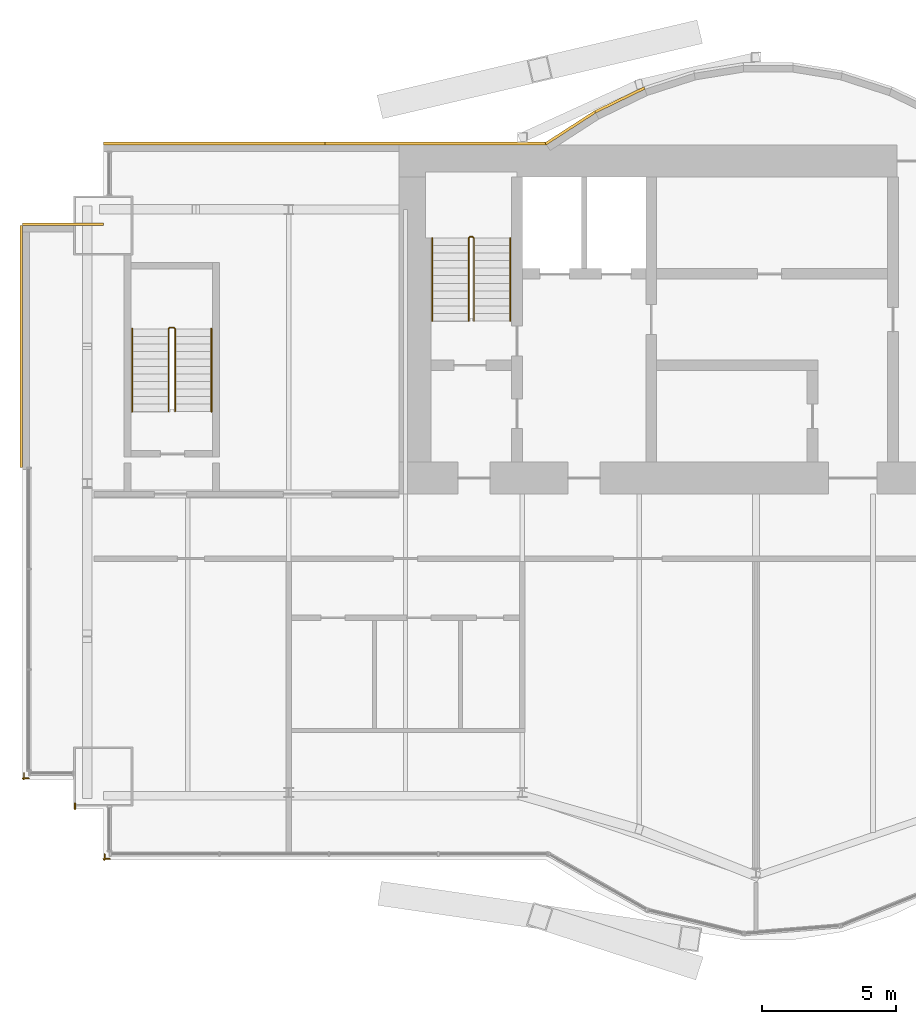
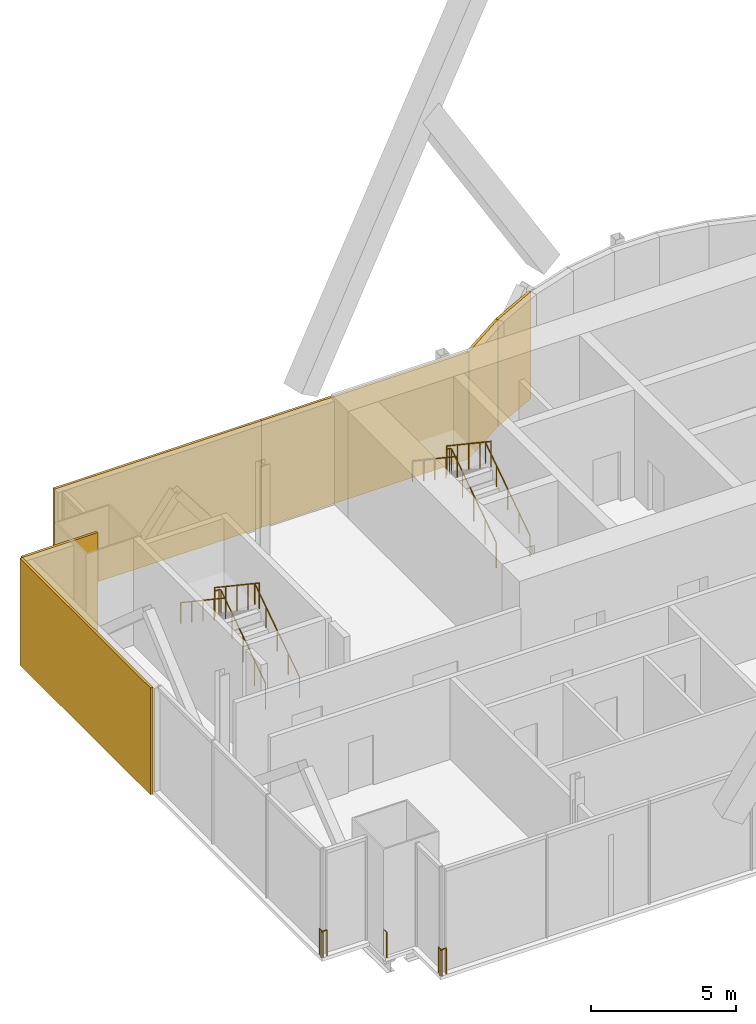
# One storey, part 18 of 20: 9 railings, 6 coverings.
"""IFC4 building model written with IfcOpenShell, lengths in metres."""

import ifcopenshell
import ifcopenshell.guid

model = None  # the IFC model being written
_history = None  # IfcOwnerHistory: only IFC2X3 demands one
_inside = {}  # id of a spatial element -> (the spatial element, [elements in it])
_under = {}  # id of a project, library or spatial element -> (it, [spatial elements below it])
_declared = {}  # id of a project -> (the project, [libraries it declares])
_typed = {}  # id of a type object -> (the type object, [elements of that type])
_made_of = {}  # id of a material, layer set ... -> (it, [elements and type objects made of it])


def new_model(schema):
    """Start an empty IFC model of exactly this schema.

    Asked for "IFC4X3", IfcOpenShell would pick the latest addendum, in which some entities
    have other attributes; the version numbers below select the first issue.
    IFC2X3 requires an IfcOwnerHistory on every rooted entity: one is made here for all.
    """
    global model, _history
    if schema == "IFC4X3":
        model = ifcopenshell.file(schema_version=(4, 3, 0, 0))
    else:
        model = ifcopenshell.file(schema=schema)
    _inside.clear()
    _under.clear()
    _declared.clear()
    _typed.clear()
    _made_of.clear()
    _history = None
    if model.schema == "IFC2X3":
        org = make("IfcOrganization", Name="unknown")
        user = make(
            "IfcPersonAndOrganization",
            ThePerson=make("IfcPerson", FamilyName="unknown"),
            TheOrganization=org,
        )
        app = make(
            "IfcApplication",
            ApplicationDeveloper=org,
            Version="unknown",
            ApplicationFullName="unknown",
            ApplicationIdentifier="unknown",
        )
        _history = make(
            "IfcOwnerHistory",
            OwningUser=user,
            OwningApplication=app,
            ChangeAction="ADDED",
            CreationDate=0,
        )
    return model


def make(cls, **values):
    """One entity of the class cls with the attributes given. An attribute that is None is left unset."""
    return model.create_entity(
        cls, **{name: value for name, value in values.items() if value is not None}
    )


def rooted(cls, **values):
    """An entity with a GlobalId (a new one), such as an element, a storey or a relation."""
    return make(cls, GlobalId=ifcopenshell.guid.new(), OwnerHistory=_history, **values)


def si_unit(unit_type, name, prefix=None):
    """IfcSIUnit, for example si_unit("LENGTHUNIT", "METRE", prefix="MILLI")."""
    return make("IfcSIUnit", UnitType=unit_type, Prefix=prefix, Name=name)


def assignment(units):
    """IfcUnitAssignment: the units of a project."""
    return None if units is None else make("IfcUnitAssignment", Units=units)


def point(xyz):
    """IfcCartesianPoint."""
    return None if xyz is None else make("IfcCartesianPoint", Coordinates=xyz)


def direction(xyz):
    """IfcDirection."""
    return None if xyz is None else make("IfcDirection", DirectionRatios=xyz)


def frame(location, z_axis=None, x_axis=None):
    """IfcAxis2Placement3D, a coordinate frame: its origin and axes. An axis left out is left unset."""
    return make(
        "IfcAxis2Placement3D",
        Location=point(location),
        Axis=direction(z_axis),
        RefDirection=direction(x_axis),
    )


def frame_2d(location, x_axis=None):
    """IfcAxis2Placement2D, a coordinate frame in the plane: its origin and x axis."""
    return make(
        "IfcAxis2Placement2D", Location=point(location), RefDirection=direction(x_axis)
    )


def origin():
    """The frame at (0, 0, 0) with its axes left unset."""
    return frame((0.0, 0.0, 0.0))


def origin_2d():
    """The frame at (0, 0) in the plane with its x axis left unset."""
    return frame_2d((0.0, 0.0))


def place(relative_to, where):
    """IfcLocalPlacement: puts the frame where relative to a parent placement (None: the world)."""
    return make(
        "IfcLocalPlacement", PlacementRelTo=relative_to, RelativePlacement=where
    )


def context(
    kind, dimensions, precision=None, world=None, true_north=None, identifier=None
):
    """IfcGeometricRepresentationContext, for example the 3D "Model" context."""
    return make(
        "IfcGeometricRepresentationContext",
        ContextIdentifier=identifier,
        ContextType=kind,
        CoordinateSpaceDimension=dimensions,
        Precision=precision,
        WorldCoordinateSystem=world,
        TrueNorth=true_north,
    )


def subcontext(parent, identifier, kind, view, scale=None):
    """IfcGeometricRepresentationSubContext, for example "Body" below "Model"."""
    return make(
        "IfcGeometricRepresentationSubContext",
        ContextIdentifier=identifier,
        ContextType=kind,
        ParentContext=parent,
        TargetScale=scale,
        TargetView=view,
    )


def project(units=None, contexts=None):
    """IfcProject with its units and contexts."""
    return rooted(
        "IfcProject",
        Name="project",
        RepresentationContexts=contexts,
        UnitsInContext=assignment(units),
    )


def spatial(cls, under=None, at=None, **own):
    """A site, building, storey or space (cls), placed at a placement, below another one or the project."""
    s = rooted(cls, ObjectPlacement=at, **own)
    if under is not None:
        _under.setdefault(under.id(), (under, []))[1].append(s)
    return s


def profile(cls, at=None, kind="AREA", **sizes):
    """A parametric profile (cls). Its sizes go by their IFC names, for example OverallWidth=200.0."""
    return make(cls, ProfileType=kind, Position=at, **sizes)


def rectangle(**sizes):
    """IfcRectangleProfileDef."""
    return profile("IfcRectangleProfileDef", **sizes)


def circle(**sizes):
    """IfcCircleProfileDef."""
    return profile("IfcCircleProfileDef", **sizes)


def extrude(swept, where, along, depth):
    """IfcExtrudedAreaSolid: the profile swept, set in the frame where, extruded along a direction by depth."""
    return make(
        "IfcExtrudedAreaSolid",
        SweptArea=swept,
        Position=where,
        ExtrudedDirection=direction(along),
        Depth=depth,
    )


def shape(context_of_items, identifier, shape_type, items):
    """IfcShapeRepresentation: the items that make up one representation, for example the "Body"."""
    return make(
        "IfcShapeRepresentation",
        ContextOfItems=context_of_items,
        RepresentationIdentifier=identifier,
        RepresentationType=shape_type,
        Items=items,
    )


def material(Name=None, Category=None):
    """IfcMaterial."""
    return make("IfcMaterial", Name=Name, Category=Category)


def layer(
    of_material, thickness, ventilated=None, Name=None, Category=None, Priority=None
):
    """IfcMaterialLayer: one layer of a wall or slab, of a material (None: an air gap)."""
    return make(
        "IfcMaterialLayer",
        Material=of_material,
        LayerThickness=thickness,
        IsVentilated=ventilated,
        Name=Name,
        Category=Category,
        Priority=Priority,
    )


def layer_set(layers, Name=None):
    """IfcMaterialLayerSet."""
    return make("IfcMaterialLayerSet", MaterialLayers=layers, LayerSetName=Name)


def made_of(thing, what):
    """Note that an element or type object is made of a material, layer set ...; save() writes the relation."""
    if what is not None:
        _made_of.setdefault(what.id(), (what, []))[1].append(thing)
    return thing


def type_object(cls, material=None, **own):
    """A type object (cls), such as IfcWallType, which elements share."""
    return made_of(rooted(cls, **own), material)


def element(
    cls,
    number,
    at=None,
    inside=None,
    cuts=None,
    type_object=None,
    material=None,
    context=None,
    identifier="Body",
    shape_type=None,
    held_by="IfcProductDefinitionShape",
    body=None,
    shapes=None,
    **own,
):
    """One element of the class cls, such as IfcWall. Its Tag is "e" and its number.

    at: its placement. inside: the storey or other place that contains it. cuts: it is an
    opening in that element (IfcRelVoidsElement). A single representation is given by context,
    identifier, shape_type and body (its items); several are given by shapes. held_by: the class
    of the entity that holds the representations. save() writes the other relations.
    """
    e = rooted(cls, Tag="e%d" % number, ObjectPlacement=at, **own)
    if body is not None:
        shapes = [shape(context, identifier, shape_type, body)]
    if shapes is not None:
        e.Representation = make(held_by, Representations=shapes)
    if inside is not None:
        _inside.setdefault(inside.id(), (inside, []))[1].append(e)
    if cuts is not None:
        rooted(
            "IfcRelVoidsElement", RelatingBuildingElement=cuts, RelatedOpeningElement=e
        )
    if type_object is not None:
        _typed.setdefault(type_object.id(), (type_object, []))[1].append(e)
    return made_of(e, material)


def aggregate(whole, parts):
    """IfcRelAggregates: a whole, such as a stair, and the parts it consists of."""
    return rooted("IfcRelAggregates", RelatingObject=whole, RelatedObjects=parts)


def save(model, path):
    """Write the relations noted so far, then the file.

    IfcRelAggregates (storeys below a building ...), IfcRelContainedInSpatialStructure (elements
    in a storey), IfcRelDefinesByType, IfcRelAssociatesMaterial and IfcRelDeclares: one each for
    every whole, place, type object, material and project.
    """
    for whole, parts in _under.values():
        aggregate(whole, parts)
    for where, things in _inside.values():
        rooted(
            "IfcRelContainedInSpatialStructure",
            RelatedElements=things,
            RelatingStructure=where,
        )
    for kind, things in _typed.values():
        rooted("IfcRelDefinesByType", RelatedObjects=things, RelatingType=kind)
    for what, things in _made_of.values():
        rooted("IfcRelAssociatesMaterial", RelatedObjects=things, RelatingMaterial=what)
    for by, libraries in _declared.values():
        rooted("IfcRelDeclares", RelatingContext=by, RelatedDefinitions=libraries)
    model.write(path)


model = new_model("IFC4")

# Units and contexts
model_context = context("Model", 3, precision=1e-05, world=origin(), true_north=direction((0.0, 1.0)))
body_context = subcontext(model_context, "Body", "Model", "MODEL_VIEW")
ifc_project = project(units=[si_unit("LENGTHUNIT", "METRE"), si_unit("AREAUNIT", "SQUARE_METRE"), si_unit("VOLUMEUNIT", "CUBIC_METRE"), si_unit("PLANEANGLEUNIT", "RADIAN"), si_unit("MASSUNIT", "GRAM", prefix="KILO")], contexts=[model_context])

# Site, building, storey
site_placement = place(None, origin())
site = spatial("IfcSite", under=ifc_project, at=site_placement, CompositionType="ELEMENT")
building_placement = place(site_placement, origin())
building = spatial("IfcBuilding", under=site, at=building_placement, Name="Bicima Exchange Tower", CompositionType="ELEMENT")
storey_placement = place(building_placement, frame((0.0, 0.0, 306.5)))
storey = spatial("IfcBuildingStorey", under=building, at=storey_placement, Name="L69", CompositionType="ELEMENT", Elevation=306.5)

# Coverings
ifc_material_1 = material(Name="Bronze metal cladding")
ifc_layer_1 = layer(ifc_material_1, 0.004)
ifc_material_2 = material(Name="Ventilated cavity")
ifc_layer_2 = layer(ifc_material_2, 0.06)
ifc_material_3 = material(Name="Galvanised steel rail and mineral wool", Category="steel")
ifc_layer_3 = layer(ifc_material_3, 0.036)
ifc_layer_set = layer_set([ifc_layer_1, ifc_layer_2, ifc_layer_3], Name="Ventilated cavity")
covering_type = type_object("IfcCoveringType", Name="Bronze metal cladding panel 100", PredefinedType="CLADDING", material=ifc_layer_set)
covering_1_placement = place(storey_placement, frame((-13.771728515625, 1.674560546875, -0.14990234375), z_axis=(0.0, 0.0, 1.0), x_axis=(-0.899818346812, -0.436264762204, 0.0)))
element("IfcCovering", 1, at=covering_1_placement, inside=storey, type_object=covering_type, Name="Bronze cladding L69 18.1", PredefinedType="CLADDING", context=body_context, shape_type="SweptSolid", body=[
    extrude(rectangle(XDim=2.03759765625, YDim=0.10009765625, at=origin_2d()), origin(), (0.0, 0.0, 1.0), 4.5),
])
covering_2_placement = place(storey_placement, frame((-15.610595703125, 0.634521484375, -0.14990234375), z_axis=(0.0, 0.0, 1.0), x_axis=(-0.839790466384, -0.542910648791, 0.0)))
element("IfcCovering", 2, at=covering_2_placement, inside=storey, type_object=covering_type, Name="Bronze cladding L69 19.1", PredefinedType="CLADDING", context=body_context, shape_type="SweptSolid", body=[
    extrude(rectangle(XDim=2.18310546875, YDim=0.10009765625, at=origin_2d()), origin(), (0.0, 0.0, 1.0), 4.5),
])
for number, where, z_axis, x_axis, name in (
    (3, (-20.625, 0.050048828125, -0.14990234375), (0.0, 0.0, 1.0), (-1.0, 0.0, 0.0), "Bronze cladding L69 20.1"),
    (4, (-28.875, 0.050048828125, -0.14990234375), (0.0, 0.0, 1.0), (-1.0, 0.0, 0.0), "Bronze cladding L69 20.2"),
):
    element("IfcCovering", number, at=place(storey_placement, frame(where, z_axis=z_axis, x_axis=x_axis)), inside=storey, type_object=covering_type, Name=name, PredefinedType="CLADDING", context=body_context, shape_type="SweptSolid", body=[
        extrude(rectangle(XDim=8.25, YDim=0.10009765625, at=origin_2d()), origin(), (0.0, 0.0, 1.0), 4.5),
    ])
covering_3_placement = place(storey_placement, frame((-34.5, -2.949951171875, -0.14990234375), z_axis=(0.0, 0.0, 1.0), x_axis=(-1.0, 0.0, 0.0)))
element("IfcCovering", 5, at=covering_3_placement, inside=storey, type_object=covering_type, Name="Bronze cladding L69 22.1", PredefinedType="CLADDING", context=body_context, shape_type="SweptSolid", body=[
    extrude(rectangle(XDim=3.0, YDim=0.10009765625, at=origin_2d()), origin(), (0.0, 0.0, 1.0), 4.5),
])
covering_4_placement = place(storey_placement, frame((-36.050048828125, -7.5, -0.14990234375), z_axis=(0.0, 0.0, 1.0), x_axis=(0.0, -1.0, 0.0)))
element("IfcCovering", 6, at=covering_4_placement, inside=storey, type_object=covering_type, Name="Bronze cladding L69 23.1", PredefinedType="CLADDING", context=body_context, shape_type="SweptSolid", body=[
    extrude(rectangle(XDim=9.0, YDim=0.10009765625, at=origin_2d()), origin(), (0.0, 0.0, 1.0), 4.5),
])

# Railings
ifc_material_4 = material(Name="Stainless steel and bonded safety glass", Category="steel")
railing_type_1 = type_object("IfcRailingType", Name="Edge guard 1100", PredefinedType="GUARDRAIL", material=ifc_material_4)
railing_1_placement = place(storey_placement, frame((-35.762939453125, -23.577880859375, 0.0)))
element("IfcRailing", 7, at=railing_1_placement, inside=storey, type_object=railing_type_1, Name="Edge guard L69 355", PredefinedType="GUARDRAIL", context=body_context, shape_type="SweptSolid", body=[
    extrude(circle(Radius=0.02392578125, at=origin_2d()), frame((0.0, 0.0, 1.076171875), z_axis=(-1.0, 0.0, 0.0), x_axis=(0.0, -1.0, 0.0)), (0.0, 0.0, 1.0), 0.237060546875),
    extrude(circle(Radius=0.02392578125, at=origin_2d()), frame((-0.237060546875, 0.0, 1.076171875), z_axis=(0.707106781187, -0.707106781187, 0.0), x_axis=(0.707106781187, 0.707106781187, 0.0)), (0.0, 0.0, 1.0), 0.07080078125),
    extrude(circle(Radius=0.02392578125, at=origin_2d()), frame((-0.18701171875, -0.050048828125, 1.076171875), z_axis=(0.0, 1.0, 0.0), x_axis=(-1.0, 0.0, 0.0)), (0.0, 0.0, 1.0), 0.2490234375),
    extrude(circle(Radius=0.02099609375, at=origin_2d()), origin(), (0.0, 0.0, 1.0), 1.052001953125),
    extrude(circle(Radius=0.02099609375, at=origin_2d()), frame((-0.237060546875, 0.0, 0.0)), (0.0, 0.0, 1.0), 1.052001953125),
    extrude(circle(Radius=0.02099609375, at=origin_2d()), frame((-0.18701171875, -0.050048828125, 0.0)), (0.0, 0.0, 1.0), 1.052001953125),
    extrude(circle(Radius=0.02099609375, at=origin_2d()), frame((-0.18701171875, 0.198974609375, 0.0)), (0.0, 0.0, 1.0), 1.052001953125),
])
railing_2_placement = place(storey_placement, frame((-32.75, -26.577880859375, 0.0)))
element("IfcRailing", 8, at=railing_2_placement, inside=storey, type_object=railing_type_1, Name="Edge guard L69 359", PredefinedType="GUARDRAIL", context=body_context, shape_type="SweptSolid", body=[
    extrude(circle(Radius=0.02392578125, at=origin_2d()), frame((0.0, 0.0, 1.076171875), z_axis=(-1.0, 0.0, 0.0), x_axis=(0.0, -1.0, 0.0)), (0.0, 0.0, 1.0), 0.25),
    extrude(circle(Radius=0.02392578125, at=origin_2d()), frame((-0.25, 0.0, 1.076171875), z_axis=(0.707106781187, -0.707106781187, 0.0), x_axis=(0.707106781187, 0.707106781187, 0.0)), (0.0, 0.0, 1.0), 0.07080078125),
    extrude(circle(Radius=0.02392578125, at=origin_2d()), frame((-0.199951171875, -0.050048828125, 1.076171875), z_axis=(0.0, 1.0, 0.0), x_axis=(-1.0, 0.0, 0.0)), (0.0, 0.0, 1.0), 0.238037109375),
    extrude(circle(Radius=0.02099609375, at=origin_2d()), origin(), (0.0, 0.0, 1.0), 1.052001953125),
    extrude(circle(Radius=0.02099609375, at=origin_2d()), frame((-0.25, 0.0, 0.0)), (0.0, 0.0, 1.0), 1.052001953125),
    extrude(circle(Radius=0.02099609375, at=origin_2d()), frame((-0.199951171875, -0.050048828125, 0.0)), (0.0, 0.0, 1.0), 1.052001953125),
    extrude(circle(Radius=0.02099609375, at=origin_2d()), frame((-0.199951171875, 0.18798828125, 0.0)), (0.0, 0.0, 1.0), 1.052001953125),
])
railing_3_placement = place(storey_placement, frame((-34.050048828125, -24.72802734375, 0.0)))
element("IfcRailing", 9, at=railing_3_placement, inside=storey, type_object=railing_type_1, Name="Edge guard L69 360", PredefinedType="GUARDRAIL", context=body_context, shape_type="SweptSolid", body=[
    extrude(circle(Radius=0.02392578125, at=origin_2d()), frame((0.0, 0.0, 1.076171875), z_axis=(0.0, 1.0, 0.0), x_axis=(-1.0, 0.0, 0.0)), (0.0, 0.0, 1.0), 0.219970703125),
    extrude(circle(Radius=0.02099609375, at=origin_2d()), origin(), (0.0, 0.0, 1.0), 1.052001953125),
    extrude(circle(Radius=0.02099609375, at=origin_2d()), frame((0.0, 0.219970703125, 0.0)), (0.0, 0.0, 1.0), 1.052001953125),
])
ifc_material_5 = material(Name="Stainless steel", Category="steel")
railing_type_2 = type_object("IfcRailingType", Name="Stair guard 1100", PredefinedType="GUARDRAIL", material=ifc_material_5)
railing_4_placement = place(storey_placement, frame((-19.199951171875, -6.550048828125, 0.1875)))
element("IfcRailing", 10, at=railing_4_placement, inside=storey, type_object=railing_type_2, Name="L69 ST-W stair guard 1", PredefinedType="GUARDRAIL", context=body_context, shape_type="SweptSolid", body=[
    extrude(circle(Radius=0.02392578125, at=origin_2d()), frame((0.0, 0.0, 1.076171875), z_axis=(0.0, 0.830913701846, 0.55640131208), x_axis=(-1.0, 0.0, 0.0)), (0.0, 0.0, 1.0), 3.706787109375),
    extrude(circle(Radius=0.02392578125, at=origin_2d()), frame((0.0, 3.080078125, 3.138671875), z_axis=(-0.707106781187, 0.707106781187, 0.0), x_axis=(-0.707106781187, -0.707106781187, 0.0)), (0.0, 0.0, 1.0), 0.07080078125),
    extrude(circle(Radius=0.02392578125, at=origin_2d()), frame((-0.050048828125, 3.130126953125, 3.138671875), z_axis=(-1.0, 0.0, 0.0), x_axis=(0.0, -1.0, 0.0)), (0.0, 0.0, 1.0), 0.10009765625),
    extrude(circle(Radius=0.02392578125, at=origin_2d()), frame((-0.150146484375, 3.130126953125, 3.138671875), z_axis=(-0.248583702486, -0.249802250048, 0.935844527007), x_axis=(0.708833529934, -0.705375805398, 0.0)), (0.0, 0.0, 1.0), 0.200439453125),
    extrude(circle(Radius=0.02392578125, at=origin_2d()), frame((-0.199951171875, 3.080078125, 3.326171875), z_axis=(0.0, -0.830913701846, 0.55640131208), x_axis=(1.0, 0.0, 0.0)), (0.0, 0.0, 1.0), 3.706787109375),
    extrude(circle(Radius=0.02099609375, at=origin_2d()), origin(), (0.0, 0.0, 1.0), 1.052001953125),
    extrude(circle(Radius=0.02099609375, at=origin_2d()), frame((0.0, 0.77001953125, 0.515625)), (0.0, 0.0, 1.0), 1.052001953125),
    extrude(circle(Radius=0.02099609375, at=origin_2d()), frame((0.0, 1.5400390625, 1.03125)), (0.0, 0.0, 1.0), 1.052001953125),
    extrude(circle(Radius=0.02099609375, at=origin_2d()), frame((0.0, 2.31005859375, 1.546875)), (0.0, 0.0, 1.0), 1.052001953125),
    extrude(circle(Radius=0.02099609375, at=origin_2d()), frame((0.0, 3.080078125, 2.0625)), (0.0, 0.0, 1.0), 1.052001953125),
    extrude(circle(Radius=0.02099609375, at=origin_2d()), frame((-0.050048828125, 3.130126953125, 2.0625)), (0.0, 0.0, 1.0), 1.052001953125),
    extrude(circle(Radius=0.02099609375, at=origin_2d()), frame((-0.150146484375, 3.130126953125, 2.0625)), (0.0, 0.0, 1.0), 1.052001953125),
    extrude(circle(Radius=0.02099609375, at=origin_2d()), frame((-0.199951171875, 3.080078125, 2.25)), (0.0, 0.0, 1.0), 1.052001953125),
    extrude(circle(Radius=0.02099609375, at=origin_2d()), frame((-0.199951171875, 2.31005859375, 2.765625)), (0.0, 0.0, 1.0), 1.052001953125),
    extrude(circle(Radius=0.02099609375, at=origin_2d()), frame((-0.199951171875, 1.5400390625, 3.28125)), (0.0, 0.0, 1.0), 1.052001953125),
    extrude(circle(Radius=0.02099609375, at=origin_2d()), frame((-0.199951171875, 0.77001953125, 3.796875)), (0.0, 0.0, 1.0), 1.052001953125),
    extrude(circle(Radius=0.02099609375, at=origin_2d()), frame((-0.199951171875, 0.0, 4.3125)), (0.0, 0.0, 1.0), 1.052001953125),
])
railing_5_placement = place(storey_placement, frame((-30.324951171875, -9.925048828125, 0.1875)))
element("IfcRailing", 11, at=railing_5_placement, inside=storey, type_object=railing_type_2, Name="L69 ST-WW stair guard 1", PredefinedType="GUARDRAIL", context=body_context, shape_type="SweptSolid", body=[
    extrude(circle(Radius=0.02392578125, at=origin_2d()), frame((0.0, 0.0, 1.076171875), z_axis=(0.0, 0.830913701846, 0.55640131208), x_axis=(-1.0, 0.0, 0.0)), (0.0, 0.0, 1.0), 3.706787109375),
    extrude(circle(Radius=0.02392578125, at=origin_2d()), frame((0.0, 3.080078125, 3.138671875), z_axis=(-0.707106781187, 0.707106781187, 0.0), x_axis=(-0.707106781187, -0.707106781187, 0.0)), (0.0, 0.0, 1.0), 0.07080078125),
    extrude(circle(Radius=0.02392578125, at=origin_2d()), frame((-0.050048828125, 3.130126953125, 3.138671875), z_axis=(-1.0, 0.0, 0.0), x_axis=(0.0, -1.0, 0.0)), (0.0, 0.0, 1.0), 0.14990234375),
    extrude(circle(Radius=0.02392578125, at=origin_2d()), frame((-0.199951171875, 3.130126953125, 3.138671875), z_axis=(-0.249726431254, -0.249726431254, 0.935560483917), x_axis=(0.707106781187, -0.707106781187, 0.0)), (0.0, 0.0, 1.0), 0.200439453125),
    extrude(circle(Radius=0.02392578125, at=origin_2d()), frame((-0.25, 3.080078125, 3.326171875), z_axis=(0.0, -0.830913701846, 0.55640131208), x_axis=(1.0, 0.0, 0.0)), (0.0, 0.0, 1.0), 3.706787109375),
    extrude(circle(Radius=0.02099609375, at=origin_2d()), origin(), (0.0, 0.0, 1.0), 1.052001953125),
    extrude(circle(Radius=0.02099609375, at=origin_2d()), frame((0.0, 0.77001953125, 0.515625)), (0.0, 0.0, 1.0), 1.052001953125),
    extrude(circle(Radius=0.02099609375, at=origin_2d()), frame((0.0, 1.5400390625, 1.03125)), (0.0, 0.0, 1.0), 1.052001953125),
    extrude(circle(Radius=0.02099609375, at=origin_2d()), frame((0.0, 2.31005859375, 1.546875)), (0.0, 0.0, 1.0), 1.052001953125),
    extrude(circle(Radius=0.02099609375, at=origin_2d()), frame((0.0, 3.080078125, 2.0625)), (0.0, 0.0, 1.0), 1.052001953125),
    extrude(circle(Radius=0.02099609375, at=origin_2d()), frame((-0.050048828125, 3.130126953125, 2.0625)), (0.0, 0.0, 1.0), 1.052001953125),
    extrude(circle(Radius=0.02099609375, at=origin_2d()), frame((-0.199951171875, 3.130126953125, 2.0625)), (0.0, 0.0, 1.0), 1.052001953125),
    extrude(circle(Radius=0.02099609375, at=origin_2d()), frame((-0.25, 3.080078125, 2.25)), (0.0, 0.0, 1.0), 1.052001953125),
    extrude(circle(Radius=0.02099609375, at=origin_2d()), frame((-0.25, 2.31005859375, 2.765625)), (0.0, 0.0, 1.0), 1.052001953125),
    extrude(circle(Radius=0.02099609375, at=origin_2d()), frame((-0.25, 1.5400390625, 3.28125)), (0.0, 0.0, 1.0), 1.052001953125),
    extrude(circle(Radius=0.02099609375, at=origin_2d()), frame((-0.25, 0.77001953125, 3.796875)), (0.0, 0.0, 1.0), 1.052001953125),
    extrude(circle(Radius=0.02099609375, at=origin_2d()), frame((-0.25, 0.0, 4.3125)), (0.0, 0.0, 1.0), 1.052001953125),
])
railing_type_3 = type_object("IfcRailingType", Name="Stair handrail 900", PredefinedType="HANDRAIL", material=ifc_material_5)
railing_6_placement = place(storey_placement, frame((-17.85009765625, -6.550048828125, 0.1875)))
element("IfcRailing", 12, at=railing_6_placement, inside=storey, type_object=railing_type_3, Name="L69 ST-W stair handrail 1", PredefinedType="HANDRAIL", context=body_context, shape_type="SweptSolid", body=[
    extrude(circle(Radius=0.02392578125, at=origin_2d()), frame((0.0, 0.0, 0.8759765625), z_axis=(0.0, 0.830913701846, 0.55640131208), x_axis=(-1.0, 0.0, 0.0)), (0.0, 0.0, 1.0), 3.706787109375),
    extrude(circle(Radius=0.02099609375, at=origin_2d()), origin(), (0.0, 0.0, 1.0), 0.851806640625),
    extrude(circle(Radius=0.02099609375, at=origin_2d()), frame((0.0, 0.77001953125, 0.515625)), (0.0, 0.0, 1.0), 0.851806640625),
    extrude(circle(Radius=0.02099609375, at=origin_2d()), frame((0.0, 1.5400390625, 1.03125)), (0.0, 0.0, 1.0), 0.851806640625),
    extrude(circle(Radius=0.02099609375, at=origin_2d()), frame((0.0, 2.31005859375, 1.546875)), (0.0, 0.0, 1.0), 0.851806640625),
    extrude(circle(Radius=0.02099609375, at=origin_2d()), frame((0.0, 3.080078125, 2.0625)), (0.0, 0.0, 1.0), 0.851806640625),
])
railing_7_placement = place(storey_placement, frame((-20.75, -3.469970703125, 2.47900390625)))
element("IfcRailing", 13, at=railing_7_placement, inside=storey, type_object=railing_type_3, Name="L69 ST-W stair handrail 2", PredefinedType="HANDRAIL", context=body_context, shape_type="SweptSolid", body=[
    extrude(circle(Radius=0.02392578125, at=origin_2d()), frame((0.0, 0.0, 0.8759765625), z_axis=(0.0, -0.830913701846, 0.55640131208), x_axis=(1.0, 0.0, 0.0)), (0.0, 0.0, 1.0), 3.706787109375),
    extrude(circle(Radius=0.02099609375, at=origin_2d()), origin(), (0.0, 0.0, 1.0), 0.851806640625),
    extrude(circle(Radius=0.02099609375, at=origin_2d()), frame((0.0, -0.77001953125, 0.515625)), (0.0, 0.0, 1.0), 0.851806640625),
    extrude(circle(Radius=0.02099609375, at=origin_2d()), frame((0.0, -1.5400390625, 1.03125)), (0.0, 0.0, 1.0), 0.851806640625),
    extrude(circle(Radius=0.02099609375, at=origin_2d()), frame((0.0, -2.31005859375, 1.546875)), (0.0, 0.0, 1.0), 0.851806640625),
    extrude(circle(Radius=0.02099609375, at=origin_2d()), frame((0.0, -3.080078125, 2.0625)), (0.0, 0.0, 1.0), 0.851806640625),
])
railing_8_placement = place(storey_placement, frame((-28.97509765625, -9.925048828125, 0.1875)))
element("IfcRailing", 14, at=railing_8_placement, inside=storey, type_object=railing_type_3, Name="L69 ST-WW stair handrail 1", PredefinedType="HANDRAIL", context=body_context, shape_type="SweptSolid", body=[
    extrude(circle(Radius=0.02392578125, at=origin_2d()), frame((0.0, 0.0, 0.8759765625), z_axis=(0.0, 0.830913701846, 0.55640131208), x_axis=(-1.0, 0.0, 0.0)), (0.0, 0.0, 1.0), 3.706787109375),
    extrude(circle(Radius=0.02099609375, at=origin_2d()), origin(), (0.0, 0.0, 1.0), 0.851806640625),
    extrude(circle(Radius=0.02099609375, at=origin_2d()), frame((0.0, 0.77001953125, 0.515625)), (0.0, 0.0, 1.0), 0.851806640625),
    extrude(circle(Radius=0.02099609375, at=origin_2d()), frame((0.0, 1.5400390625, 1.03125)), (0.0, 0.0, 1.0), 0.851806640625),
    extrude(circle(Radius=0.02099609375, at=origin_2d()), frame((0.0, 2.31005859375, 1.546875)), (0.0, 0.0, 1.0), 0.851806640625),
    extrude(circle(Radius=0.02099609375, at=origin_2d()), frame((0.0, 3.080078125, 2.0625)), (0.0, 0.0, 1.0), 0.851806640625),
])
railing_9_placement = place(storey_placement, frame((-31.925048828125, -6.844970703125, 2.47900390625)))
element("IfcRailing", 15, at=railing_9_placement, inside=storey, type_object=railing_type_3, Name="L69 ST-WW stair handrail 2", PredefinedType="HANDRAIL", context=body_context, shape_type="SweptSolid", body=[
    extrude(circle(Radius=0.02392578125, at=origin_2d()), frame((0.0, 0.0, 0.8759765625), z_axis=(0.0, -0.830913701846, 0.55640131208), x_axis=(1.0, 0.0, 0.0)), (0.0, 0.0, 1.0), 3.706787109375),
    extrude(circle(Radius=0.02099609375, at=origin_2d()), origin(), (0.0, 0.0, 1.0), 0.851806640625),
    extrude(circle(Radius=0.02099609375, at=origin_2d()), frame((0.0, -0.77001953125, 0.515625)), (0.0, 0.0, 1.0), 0.851806640625),
    extrude(circle(Radius=0.02099609375, at=origin_2d()), frame((0.0, -1.5400390625, 1.03125)), (0.0, 0.0, 1.0), 0.851806640625),
    extrude(circle(Radius=0.02099609375, at=origin_2d()), frame((0.0, -2.31005859375, 1.546875)), (0.0, 0.0, 1.0), 0.851806640625),
    extrude(circle(Radius=0.02099609375, at=origin_2d()), frame((0.0, -3.080078125, 2.0625)), (0.0, 0.0, 1.0), 0.851806640625),
])

save(model, "model.ifc")
